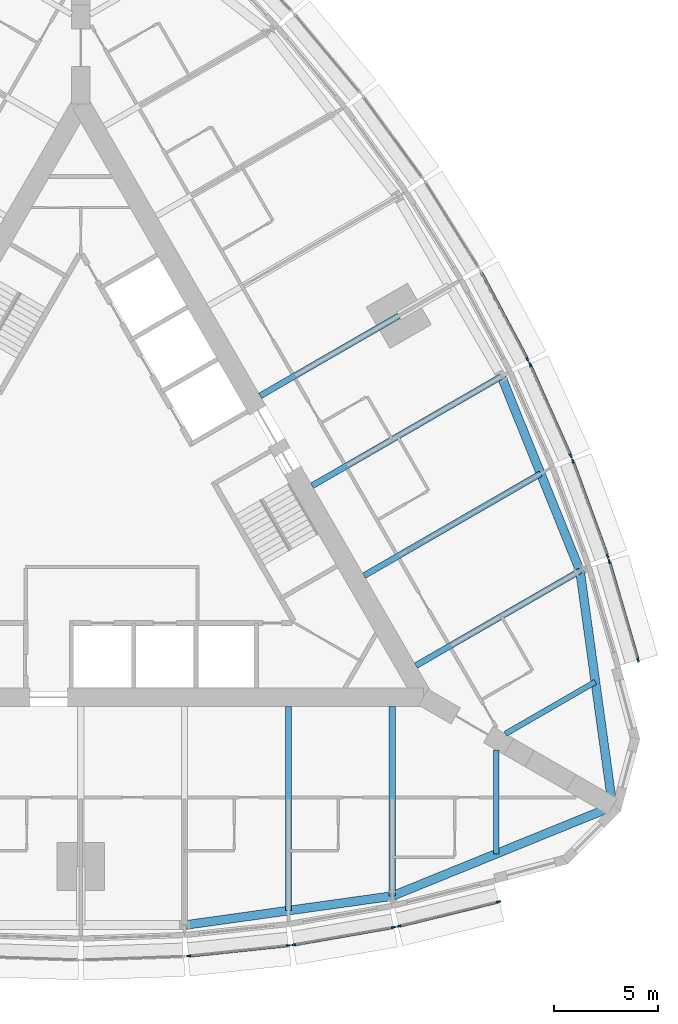
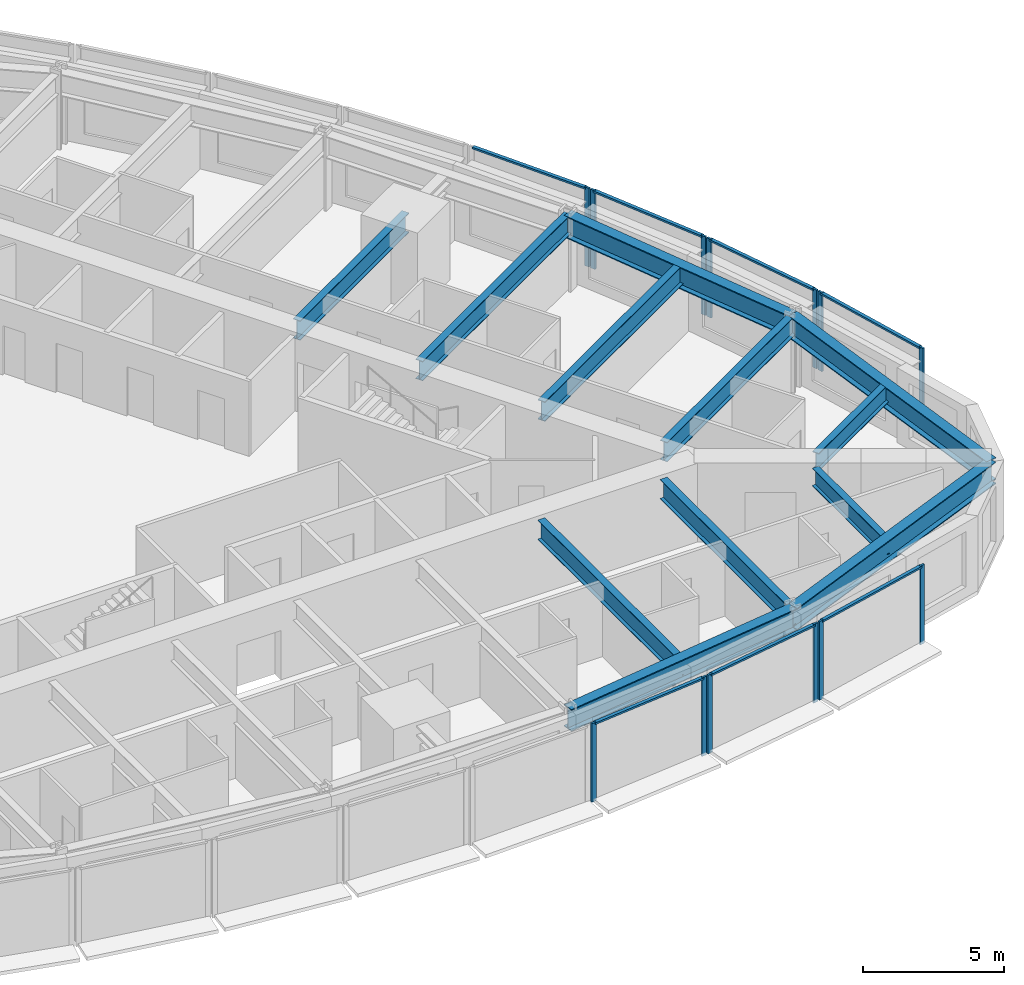
# One storey, part 3 of 14: 20 members, 12 beams, 7 elements without a shape of their own.
"""IFC4 building model written with IfcOpenShell, lengths in metres."""

from ifc_helpers import new_model, si_unit, direction, frame, origin, origin_2d, place, context, subcontext, project, spatial, rectangle, i_section, extrude, material, material_profile, profile_set, type_object, element, aggregate, save


model = new_model("IFC4")

# Units and contexts
model_context = context("Model", 3, precision=1e-05, world=origin(), true_north=direction((0.0, 1.0)))
body_context = subcontext(model_context, "Body", "Model", "MODEL_VIEW")
ifc_project = project(units=[si_unit("LENGTHUNIT", "METRE"), si_unit("AREAUNIT", "SQUARE_METRE"), si_unit("VOLUMEUNIT", "CUBIC_METRE"), si_unit("PLANEANGLEUNIT", "RADIAN"), si_unit("MASSUNIT", "GRAM", prefix="KILO")], contexts=[model_context])

# Site, building, storey
site_placement = place(None, origin())
site = spatial("IfcSite", under=ifc_project, at=site_placement, CompositionType="ELEMENT")
building_placement = place(site_placement, origin())
building = spatial("IfcBuilding", under=site, at=building_placement, Name="Trikona Tower", CompositionType="ELEMENT")
storey_placement = place(building_placement, frame((0.0, 0.0, 152.10009765625)))
storey = spatial("IfcBuildingStorey", under=building, at=storey_placement, Name="L40", CompositionType="ELEMENT", Elevation=152.10009765625)

# Curtain wall, members
ifc_material_1 = material(Name="Aluminium curtain wall system", Category="aluminium")
curtain_wall_type = type_object("IfcCurtainWallType", Name="Curtain wall DS2", PredefinedType="NOTDEFINED", material=ifc_material_1)
curtain_wall_1_placement = place(storey_placement, origin())
curtain_wall_1 = element("IfcCurtainWall", 1, at=curtain_wall_1_placement, inside=storey, type_object=curtain_wall_type, Name="Curtain wall DS2 L40", PredefinedType="NOTDEFINED")
ifc_material_2 = material(Name="Aluminium mullion, pale anodised", Category="aluminium")
ifc_material_profile_1 = material_profile(ifc_material_2, rectangle(XDim=0.080078125, YDim=0.199951171875, at=origin_2d()), Name="MUL-DS2")
ifc_profile_set_1 = profile_set([ifc_material_profile_1], Name="Aluminium mullion, pale anodised")
member_type_1 = type_object("IfcMemberType", Name="Mullion DS2 80x200", PredefinedType="MULLION", material=ifc_profile_set_1)
member_1_placement = place(storey_placement, frame((5.193359375, -21.98486328125, 0.0), z_axis=(0.0, 0.0, 1.0), x_axis=(-0.104433387357, 0.994531883654, 0.0)))
member_1 = element("IfcMember", 2, at=member_1_placement, type_object=member_type_1, Name="CW-DS2 mullion 1", PredefinedType="MULLION", context=body_context, shape_type="SweptSolid", body=[
    extrude(rectangle(XDim=0.080078125, YDim=0.199951171875, at=origin_2d()), origin(), (0.0, 0.0, 1.0), 3.39990234375),
])
member_2_placement = place(storey_placement, frame((9.99462890625, -21.480712890625, 0.0), z_axis=(0.0, 0.0, 1.0), x_axis=(-0.104433387357, 0.994531883654, 0.0)))
member_2 = element("IfcMember", 3, at=member_2_placement, type_object=member_type_1, Name="CW-DS2 mullion 2", PredefinedType="MULLION", context=body_context, shape_type="SweptSolid", body=[
    extrude(rectangle(XDim=0.080078125, YDim=0.199951171875, at=origin_2d()), origin(), (0.0, 0.0, 1.0), 3.39990234375),
])

curtain_wall_2_placement = place(storey_placement, origin())
curtain_wall_2 = element("IfcCurtainWall", 4, at=curtain_wall_2_placement, inside=storey, type_object=curtain_wall_type, Name="Curtain wall DS2 L40", PredefinedType="NOTDEFINED")
member_3_placement = place(storey_placement, frame((10.253662109375, -21.444580078125, 0.0), z_axis=(0.0, 0.0, 1.0), x_axis=(-0.17237739505, 0.985030981074, 0.0)))
member_3 = element("IfcMember", 5, at=member_3_placement, type_object=member_type_1, Name="CW-DS2 mullion 1", PredefinedType="MULLION", context=body_context, shape_type="SweptSolid", body=[
    extrude(rectangle(XDim=0.080078125, YDim=0.199951171875, at=origin_2d()), origin(), (0.0, 0.0, 1.0), 3.39990234375),
])
member_4_placement = place(storey_placement, frame((15.056640625, -20.60400390625, 0.0), z_axis=(0.0, 0.0, 1.0), x_axis=(-0.17237739505, 0.985030981074, 0.0)))
member_4 = element("IfcMember", 6, at=member_4_placement, type_object=member_type_1, Name="CW-DS2 mullion 2", PredefinedType="MULLION", context=body_context, shape_type="SweptSolid", body=[
    extrude(rectangle(XDim=0.080078125, YDim=0.199951171875, at=origin_2d()), origin(), (0.0, 0.0, 1.0), 3.39990234375),
])

curtain_wall_3_placement = place(storey_placement, origin())
curtain_wall_3 = element("IfcCurtainWall", 7, at=curtain_wall_3_placement, inside=storey, type_object=curtain_wall_type, Name="Curtain wall DS2 L40", PredefinedType="NOTDEFINED")
member_5_placement = place(storey_placement, frame((15.311279296875, -20.550537109375, 0.0), z_axis=(0.0, 0.0, 1.0), x_axis=(-0.237970204243, 0.971272455026, 0.0)))
member_5 = element("IfcMember", 8, at=member_5_placement, type_object=member_type_1, Name="CW-DS2 mullion 1", PredefinedType="MULLION", context=body_context, shape_type="SweptSolid", body=[
    extrude(rectangle(XDim=0.080078125, YDim=0.199951171875, at=origin_2d()), origin(), (0.0, 0.0, 1.0), 3.39990234375),
])
member_6_placement = place(storey_placement, frame((20.116943359375, -19.373046875, 0.0), z_axis=(0.0, 0.0, 1.0), x_axis=(-0.237970204243, 0.971272455026, 0.0)))
member_6 = element("IfcMember", 9, at=member_6_placement, type_object=member_type_1, Name="CW-DS2 mullion 2", PredefinedType="MULLION", context=body_context, shape_type="SweptSolid", body=[
    extrude(rectangle(XDim=0.080078125, YDim=0.199951171875, at=origin_2d()), origin(), (0.0, 0.0, 1.0), 3.39990234375),
])

curtain_wall_4_placement = place(storey_placement, origin())
curtain_wall_4 = element("IfcCurtainWall", 10, at=curtain_wall_4_placement, inside=storey, type_object=curtain_wall_type, Name="Curtain wall DS2 L40", PredefinedType="NOTDEFINED")
member_7_placement = place(storey_placement, frame((26.836181640625, -7.7353515625, 0.0), z_axis=(0.0, 0.0, 1.0), x_axis=(-0.96013310152, -0.279543247757, 0.0)))
member_7 = element("IfcMember", 11, at=member_7_placement, type_object=member_type_1, Name="CW-DS2 mullion 1", PredefinedType="MULLION", context=body_context, shape_type="SweptSolid", body=[
    extrude(rectangle(XDim=0.080078125, YDim=0.199951171875, at=origin_2d()), origin(), (0.0, 0.0, 1.0), 3.39990234375),
])
member_8_placement = place(storey_placement, frame((25.452880859375, -2.984619140625, 0.0), z_axis=(0.0, 0.0, 1.0), x_axis=(-0.96013310152, -0.279543247757, 0.0)))
member_8 = element("IfcMember", 12, at=member_8_placement, type_object=member_type_1, Name="CW-DS2 mullion 2", PredefinedType="MULLION", context=body_context, shape_type="SweptSolid", body=[
    extrude(rectangle(XDim=0.080078125, YDim=0.199951171875, at=origin_2d()), origin(), (0.0, 0.0, 1.0), 3.39990234375),
])

curtain_wall_5_placement = place(storey_placement, origin())
curtain_wall_5 = element("IfcCurtainWall", 13, at=curtain_wall_5_placement, inside=storey, type_object=curtain_wall_type, Name="Curtain wall DS2 L40", PredefinedType="NOTDEFINED")
member_9_placement = place(storey_placement, frame((25.371826171875, -2.737548828125, 0.0), z_axis=(0.0, 0.0, 1.0), x_axis=(-0.939253790978, -0.343223420143, 0.0)))
member_9 = element("IfcMember", 14, at=member_9_placement, type_object=member_type_1, Name="CW-DS2 mullion 1", PredefinedType="MULLION", context=body_context, shape_type="SweptSolid", body=[
    extrude(rectangle(XDim=0.080078125, YDim=0.199951171875, at=origin_2d()), origin(), (0.0, 0.0, 1.0), 3.39990234375),
])
member_10_placement = place(storey_placement, frame((23.6982421875, 1.84228515625, 0.0), z_axis=(0.0, 0.0, 1.0), x_axis=(-0.939253790978, -0.343223420143, 0.0)))
member_10 = element("IfcMember", 15, at=member_10_placement, type_object=member_type_1, Name="CW-DS2 mullion 2", PredefinedType="MULLION", context=body_context, shape_type="SweptSolid", body=[
    extrude(rectangle(XDim=0.080078125, YDim=0.199951171875, at=origin_2d()), origin(), (0.0, 0.0, 1.0), 3.39990234375),
])

curtain_wall_6_placement = place(storey_placement, origin())
curtain_wall_6 = element("IfcCurtainWall", 16, at=curtain_wall_6_placement, inside=storey, type_object=curtain_wall_type, Name="Curtain wall DS2 L40", PredefinedType="NOTDEFINED")
member_11_placement = place(storey_placement, frame((23.60009765625, 2.0849609375, 0.0), z_axis=(0.0, 0.0, 1.0), x_axis=(-0.913501208767, -0.406836013132, 0.0)))
member_11 = element("IfcMember", 17, at=member_11_placement, type_object=member_type_1, Name="CW-DS2 mullion 1", PredefinedType="MULLION", context=body_context, shape_type="SweptSolid", body=[
    extrude(rectangle(XDim=0.080078125, YDim=0.199951171875, at=origin_2d()), origin(), (0.0, 0.0, 1.0), 3.39990234375),
])
member_12_placement = place(storey_placement, frame((21.63623046875, 6.494873046875, 0.0), z_axis=(0.0, 0.0, 1.0), x_axis=(-0.913501208767, -0.406836013132, 0.0)))
member_12 = element("IfcMember", 18, at=member_12_placement, type_object=member_type_1, Name="CW-DS2 mullion 2", PredefinedType="MULLION", context=body_context, shape_type="SweptSolid", body=[
    extrude(rectangle(XDim=0.080078125, YDim=0.199951171875, at=origin_2d()), origin(), (0.0, 0.0, 1.0), 3.39990234375),
])

# Curtain wall, member
curtain_wall_7_placement = place(storey_placement, origin())
curtain_wall_7 = element("IfcCurtainWall", 19, at=curtain_wall_7_placement, inside=storey, type_object=curtain_wall_type, Name="Curtain wall DS2 L40", PredefinedType="NOTDEFINED")
member_13_placement = place(storey_placement, frame((21.52099609375, 6.730712890625, 0.0), z_axis=(0.0, 0.0, 1.0), x_axis=(-0.882996107343, -0.469380308937, 0.0)))
member_13 = element("IfcMember", 20, at=member_13_placement, type_object=member_type_1, Name="CW-DS2 mullion 1", PredefinedType="MULLION", context=body_context, shape_type="SweptSolid", body=[
    extrude(rectangle(XDim=0.080078125, YDim=0.199951171875, at=origin_2d()), origin(), (0.0, 0.0, 1.0), 3.39990234375),
])

# Beams
ifc_material_3 = material(Name="Steel ASTM A992 Grade 50", Category="steel")
ifc_material_profile_2 = material_profile(ifc_material_3, i_section(OverallWidth=0.2666015625, OverallDepth=0.76953125, WebThickness=0.015625, FlangeThickness=0.025390625, at=origin_2d()), Name="W30X132")
ifc_profile_set_2 = profile_set([ifc_material_profile_2], Name="Steel ASTM A992 Grade 50")
beam_type_1 = type_object("IfcBeamType", Name="Steel beam W30x132 (wedge)", PredefinedType="BEAM", material=ifc_profile_set_2)
beam_1_placement = place(storey_placement, frame((20.0, -12.066650390625, 2.85009765625), z_axis=(0.0, -1.0, 0.0), x_axis=(1.0, 0.0, 0.0)))
element("IfcBeam", 21, at=beam_1_placement, inside=storey, type_object=beam_type_1, Name="Floor beam L41 F1 u20", PredefinedType="BEAM", context=body_context, shape_type="SweptSolid", body=[
    extrude(i_section(OverallWidth=0.2666015625, OverallDepth=0.76953125, WebThickness=0.015625, FlangeThickness=0.025390625, at=origin_2d()), origin(), (0.0, 0.0, 1.0), 5.00048828125),
])
beam_2_placement = place(storey_placement, frame((20.449951171875, -11.287109375, 2.85009765625), z_axis=(0.866038434829, 0.49997742889, 0.0), x_axis=(-0.49997742889, 0.866038434829, 0.0)))
element("IfcBeam", 22, at=beam_2_placement, inside=storey, type_object=beam_type_1, Name="Floor beam L41 F2 u-20", PredefinedType="BEAM", context=body_context, shape_type="SweptSolid", body=[
    extrude(i_section(OverallWidth=0.2666015625, OverallDepth=0.76953125, WebThickness=0.015625, FlangeThickness=0.025390625, at=origin_2d()), origin(), (0.0, 0.0, 1.0), 5.000732421875),
])
ifc_material_4 = material(Name="Steel ASTM A992 Grade 50", Category="steel")
ifc_material_profile_3 = material_profile(ifc_material_4, i_section(OverallWidth=0.2919921875, OverallDepth=0.845703125, WebThickness=0.015380859375, FlangeThickness=0.0244140625, at=origin_2d()), Name="W33X141")
ifc_profile_set_3 = profile_set([ifc_material_profile_3], Name="Steel ASTM A992 Grade 50")
beam_type_2 = type_object("IfcBeamType", Name="Steel beam W33x141 (radial typ)", PredefinedType="BEAM", material=ifc_profile_set_3)
beam_3_placement = place(storey_placement, frame((10.0, -9.976318359375, 2.81201171875), z_axis=(0.0, -1.0, 0.0), x_axis=(1.0, 0.0, 0.0)))
element("IfcBeam", 23, at=beam_3_placement, inside=storey, type_object=beam_type_2, Name="Floor beam L41 F1 u10", PredefinedType="BEAM", context=body_context, shape_type="SweptSolid", body=[
    extrude(i_section(OverallWidth=0.2919921875, OverallDepth=0.845703125, WebThickness=0.015380859375, FlangeThickness=0.0244140625, at=origin_2d()), origin(), (0.0, 0.0, 1.0), 9.823974609375),
])
beam_4_placement = place(storey_placement, frame((15.0, -9.976318359375, 2.81201171875), z_axis=(0.0, -1.0, 0.0), x_axis=(1.0, 0.0, 0.0)))
element("IfcBeam", 24, at=beam_4_placement, inside=storey, type_object=beam_type_2, Name="Floor beam L41 F1 u15", PredefinedType="BEAM", context=body_context, shape_type="SweptSolid", body=[
    extrude(i_section(OverallWidth=0.2919921875, OverallDepth=0.845703125, WebThickness=0.015380859375, FlangeThickness=0.0244140625, at=origin_2d()), origin(), (0.0, 0.0, 1.0), 9.123779296875),
])
beam_5_placement = place(storey_placement, frame((16.1396484375, -8.002197265625, 2.81201171875), z_axis=(0.866024725532, 0.500001174766, 0.0), x_axis=(-0.500001174766, 0.866024725532, 0.0)))
element("IfcBeam", 25, at=beam_5_placement, inside=storey, type_object=beam_type_2, Name="Floor beam L41 F2 u-15", PredefinedType="BEAM", context=body_context, shape_type="SweptSolid", body=[
    extrude(i_section(OverallWidth=0.2919921875, OverallDepth=0.845703125, WebThickness=0.015380859375, FlangeThickness=0.0244140625, at=origin_2d()), origin(), (0.0, 0.0, 1.0), 9.1240234375),
])
beam_6_placement = place(storey_placement, frame((13.6396484375, -3.672119140625, 2.81201171875), z_axis=(0.866020046725, 0.500009278584, 0.0), x_axis=(-0.500009278584, 0.866020046725, 0.0)))
element("IfcBeam", 26, at=beam_6_placement, inside=storey, type_object=beam_type_2, Name="Floor beam L41 F2 u-10", PredefinedType="BEAM", context=body_context, shape_type="SweptSolid", body=[
    extrude(i_section(OverallWidth=0.2919921875, OverallDepth=0.845703125, WebThickness=0.015380859375, FlangeThickness=0.0244140625, at=origin_2d()), origin(), (0.0, 0.0, 1.0), 9.823974609375),
])
beam_7_placement = place(storey_placement, frame((11.1396484375, 0.657958984375, 2.81201171875), z_axis=(0.866026035623, 0.499998905622, 0.0), x_axis=(-0.499998905622, 0.866026035623, 0.0)))
element("IfcBeam", 27, at=beam_7_placement, inside=storey, type_object=beam_type_2, Name="Floor beam L41 F2 u-5", PredefinedType="BEAM", context=body_context, shape_type="SweptSolid", body=[
    extrude(i_section(OverallWidth=0.2919921875, OverallDepth=0.845703125, WebThickness=0.015380859375, FlangeThickness=0.0244140625, at=origin_2d()), origin(), (0.0, 0.0, 1.0), 10.52392578125),
])
beam_8_placement = place(storey_placement, frame((8.6396484375, 4.988037109375, 2.81201171875), z_axis=(0.866017246294, 0.500014128921, 0.0), x_axis=(-0.500014128921, 0.866017246294, 0.0)))
element("IfcBeam", 28, at=beam_8_placement, inside=storey, type_object=beam_type_2, Name="Floor beam L41 F2 u0", PredefinedType="BEAM", context=body_context, shape_type="SweptSolid", body=[
    extrude(i_section(OverallWidth=0.2919921875, OverallDepth=0.845703125, WebThickness=0.015380859375, FlangeThickness=0.0244140625, at=origin_2d()), origin(), (0.0, 0.0, 1.0), 7.704345703125),
])
ifc_material_5 = material(Name="Steel ASTM A992 Grade 50", Category="steel")
ifc_material_profile_4 = material_profile(ifc_material_5, i_section(OverallWidth=0.424072265625, OverallDepth=0.947509765625, WebThickness=0.02392578125, FlangeThickness=0.042724609375, at=origin_2d()), Name="W36X302")
ifc_profile_set_4 = profile_set([ifc_material_profile_4], Name="Steel ASTM A992 Grade 50")
beam_type_3 = type_object("IfcBeamType", Name="Steel beam W36x302 (spandrel)", PredefinedType="SPANDREL", material=ifc_profile_set_4)
beam_9_placement = place(storey_placement, frame((5.0, -20.500244140625, 2.76123046875), z_axis=(0.990339754644, 0.13866207258, 0.0), x_axis=(-0.13866207258, 0.990339754644, 0.0)))
element("IfcBeam", 29, at=beam_9_placement, inside=storey, type_object=beam_type_3, Name="Spandrel beam L41 F1-4", PredefinedType="SPANDREL", context=body_context, shape_type="SweptSolid", body=[
    extrude(i_section(OverallWidth=0.424072265625, OverallDepth=0.947509765625, WebThickness=0.02392578125, FlangeThickness=0.042724609375, at=origin_2d()), origin(), (0.0, 0.0, 1.0), 10.09765625),
])
for number, where, z_axis, x_axis, name in (
    (30, (15.0, -19.10009765625, 2.76123046875), (0.926359695662, 0.376640032728, 0.0), (-0.376640032728, 0.926359695662, 0.0), "Spandrel beam L41 F1-5"),
    (31, (25.6103515625, -14.7861328125, 2.76123046875), (-0.136991535842, 0.990572218017, 0.0), (-0.990572218017, -0.136991535842, 0.0), "Spandrel beam L41 F2-1"),
):
    element("IfcBeam", number, at=place(storey_placement, frame(where, z_axis=z_axis, x_axis=x_axis)), inside=storey, type_object=beam_type_3, Name=name, PredefinedType="SPANDREL", context=body_context, shape_type="SweptSolid", body=[
        extrude(i_section(OverallWidth=0.424072265625, OverallDepth=0.947509765625, WebThickness=0.02392578125, FlangeThickness=0.042724609375, at=origin_2d()), origin(), (0.0, 0.0, 1.0), 11.453857421875),
    ])
beam_10_placement = place(storey_placement, frame((24.041259765625, -3.440185546875, 2.76123046875), z_axis=(-0.375106193787, 0.926981846307, 0.0), x_axis=(-0.926981846307, -0.375106193787, 0.0)))
element("IfcBeam", 32, at=beam_10_placement, inside=storey, type_object=beam_type_3, Name="Spandrel beam L41 F2-2", PredefinedType="SPANDREL", context=body_context, shape_type="SweptSolid", body=[
    extrude(i_section(OverallWidth=0.424072265625, OverallDepth=0.947509765625, WebThickness=0.02392578125, FlangeThickness=0.042724609375, at=origin_2d()), origin(), (0.0, 0.0, 1.0), 10.097412109375),
])

# Member
ifc_material_6 = material(Name="Aluminium transom, pale anodised", Category="aluminium")
ifc_material_profile_5 = material_profile(ifc_material_6, rectangle(XDim=0.139892578125, YDim=0.080078125, at=origin_2d()), Name="TRN-DS2")
ifc_profile_set_5 = profile_set([ifc_material_profile_5], Name="Aluminium transom, pale anodised")
member_type_2 = type_object("IfcMemberType", Name="Transom DS2 80x140", PredefinedType="USERDEFINED", material=ifc_profile_set_5)
member_14_placement = place(storey_placement, frame((5.233154296875, -21.980712890625, 3.35986328125), z_axis=(0.99453106441, 0.104441188822, 0.0), x_axis=(-0.104441188822, 0.99453106441, 0.0)))
member_14 = element("IfcMember", 33, at=member_14_placement, type_object=member_type_2, Name="CW-DS2 transom 1.1", ObjectType="TRANSOM", PredefinedType="USERDEFINED", context=body_context, shape_type="SweptSolid", body=[
    extrude(rectangle(XDim=0.139892578125, YDim=0.080078125, at=origin_2d()), origin(), (0.0, 0.0, 1.0), 4.74755859375),
])

aggregate(curtain_wall_1, [member_1, member_2, member_14])

member_15_placement = place(storey_placement, frame((10.29296875, -21.4375, 3.35986328125), z_axis=(0.98503262804, 0.172367983387, 0.0), x_axis=(-0.172367983387, 0.98503262804, 0.0)))
member_15 = element("IfcMember", 34, at=member_15_placement, type_object=member_type_2, Name="CW-DS2 transom 1.1", ObjectType="TRANSOM", PredefinedType="USERDEFINED", context=body_context, shape_type="SweptSolid", body=[
    extrude(rectangle(XDim=0.139892578125, YDim=0.080078125, at=origin_2d()), origin(), (0.0, 0.0, 1.0), 4.7958984375),
])

aggregate(curtain_wall_2, [member_3, member_4, member_15])

member_16_placement = place(storey_placement, frame((15.35009765625, -20.541015625, 3.35986328125), z_axis=(0.971270583303, 0.237977843528, 0.0), x_axis=(-0.237977843528, 0.971270583303, 0.0)))
member_16 = element("IfcMember", 35, at=member_16_placement, type_object=member_type_2, Name="CW-DS2 transom 1.1", ObjectType="TRANSOM", PredefinedType="USERDEFINED", context=body_context, shape_type="SweptSolid", body=[
    extrude(rectangle(XDim=0.139892578125, YDim=0.080078125, at=origin_2d()), origin(), (0.0, 0.0, 1.0), 4.867919921875),
])

aggregate(curtain_wall_3, [member_5, member_6, member_16])

member_17_placement = place(storey_placement, frame((26.824951171875, -7.69677734375, 3.35986328125), z_axis=(-0.279566628153, 0.960126293996, 0.0), x_axis=(-0.960126293996, -0.279566628153, 0.0)))
member_17 = element("IfcMember", 36, at=member_17_placement, type_object=member_type_2, Name="CW-DS2 transom 1.1", ObjectType="TRANSOM", PredefinedType="USERDEFINED", context=body_context, shape_type="SweptSolid", body=[
    extrude(rectangle(XDim=0.139892578125, YDim=0.080078125, at=origin_2d()), origin(), (0.0, 0.0, 1.0), 4.86767578125),
])

aggregate(curtain_wall_4, [member_7, member_8, member_17])

member_18_placement = place(storey_placement, frame((25.358154296875, -2.699951171875, 3.35986328125), z_axis=(-0.343205907674, 0.939260190223, 0.0), x_axis=(-0.939260190223, -0.343205907674, 0.0)))
member_18 = element("IfcMember", 37, at=member_18_placement, type_object=member_type_2, Name="CW-DS2 transom 1.1", ObjectType="TRANSOM", PredefinedType="USERDEFINED", context=body_context, shape_type="SweptSolid", body=[
    extrude(rectangle(XDim=0.139892578125, YDim=0.080078125, at=origin_2d()), origin(), (0.0, 0.0, 1.0), 4.7958984375),
])

aggregate(curtain_wall_5, [member_9, member_10, member_18])

member_19_placement = place(storey_placement, frame((23.583740234375, 2.12158203125, 3.35986328125), z_axis=(-0.406839769607, 0.913499535778, 0.0), x_axis=(-0.913499535778, -0.406839769607, 0.0)))
member_19 = element("IfcMember", 38, at=member_19_placement, type_object=member_type_2, Name="CW-DS2 transom 1.1", ObjectType="TRANSOM", PredefinedType="USERDEFINED", context=body_context, shape_type="SweptSolid", body=[
    extrude(rectangle(XDim=0.139892578125, YDim=0.080078125, at=origin_2d()), origin(), (0.0, 0.0, 1.0), 4.747314453125),
])

aggregate(curtain_wall_6, [member_11, member_12, member_19])

member_20_placement = place(storey_placement, frame((21.502197265625, 6.76611328125, 3.35986328125), z_axis=(-0.469364343408, 0.883004594063, 0.0), x_axis=(-0.883004594063, -0.469364343408, 0.0)))
member_20 = element("IfcMember", 39, at=member_20_placement, type_object=member_type_2, Name="CW-DS2 transom 1.1", ObjectType="TRANSOM", PredefinedType="USERDEFINED", context=body_context, shape_type="SweptSolid", body=[
    extrude(rectangle(XDim=0.139892578125, YDim=0.080078125, at=origin_2d()), origin(), (0.0, 0.0, 1.0), 4.722900390625),
])

aggregate(curtain_wall_7, [member_13, member_20])

save(model, "model.ifc")
